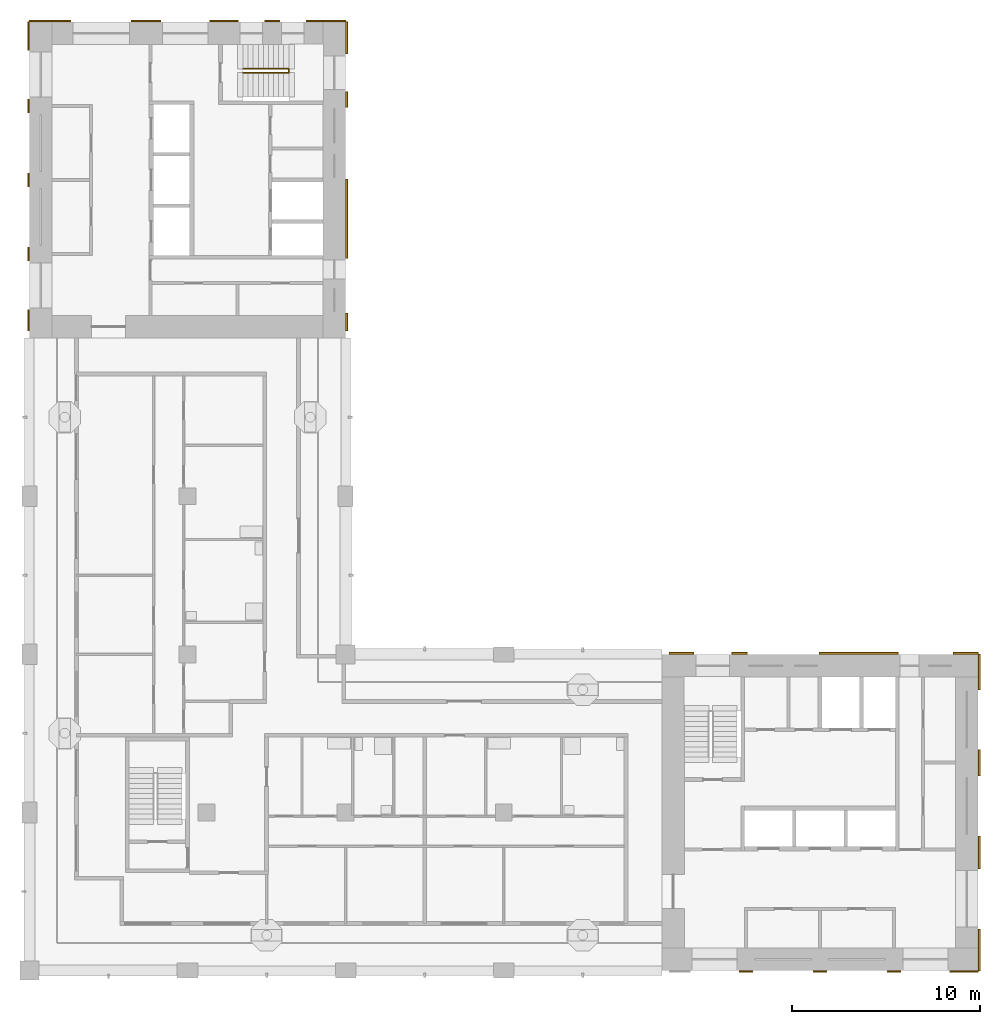
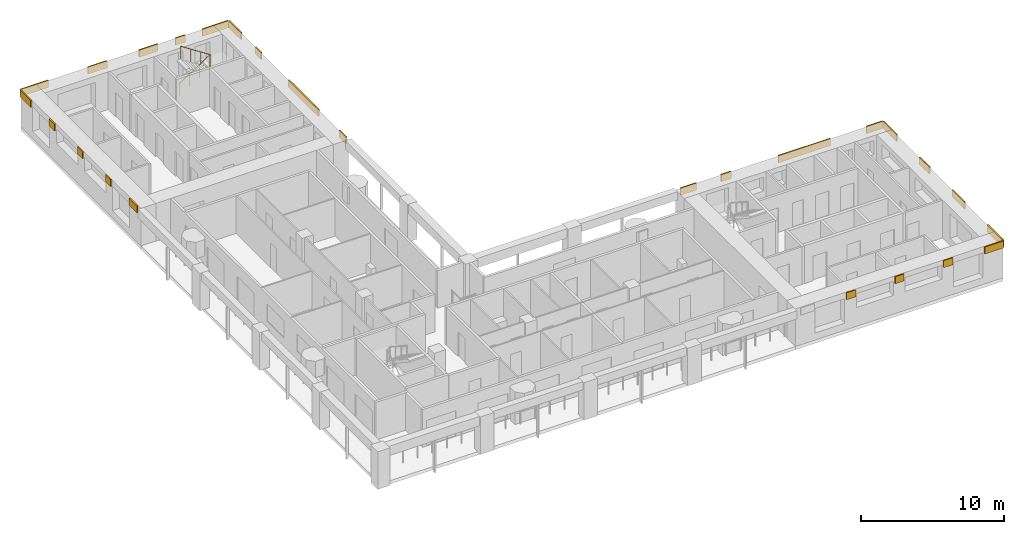
# One storey, part 8 of 11: 26 shading devices, 1 railing.
"""IFC4 building model written with IfcOpenShell, lengths in metres."""

from ifc_helpers import new_model, si_unit, direction, frame, origin, origin_2d, place, context, subcontext, project, spatial, rectangle, circle, extrude, material, layer, layer_set, type_object, element, save


model = new_model("IFC4")

# Units and contexts
model_context = context("Model", 3, precision=1e-05, world=origin(), true_north=direction((0.0, 1.0)))
body_context = subcontext(model_context, "Body", "Model", "MODEL_VIEW")
ifc_project = project(units=[si_unit("LENGTHUNIT", "METRE"), si_unit("AREAUNIT", "SQUARE_METRE"), si_unit("VOLUMEUNIT", "CUBIC_METRE"), si_unit("PLANEANGLEUNIT", "RADIAN"), si_unit("MASSUNIT", "GRAM", prefix="KILO")], contexts=[model_context])

# Site, building, storey
site_placement = place(None, origin())
site = spatial("IfcSite", under=ifc_project, at=site_placement, CompositionType="ELEMENT")
building_placement = place(site_placement, origin())
building = spatial("IfcBuilding", under=site, at=building_placement, Name="Vermilion Gate Residences", CompositionType="ELEMENT")
storey_placement = place(building_placement, frame((0.0, 0.0, 256.199951171875)))
storey = spatial("IfcBuildingStorey", under=building, at=storey_placement, Name="L67", CompositionType="ELEMENT", Elevation=256.199951171875)

# Railing
ifc_material_1 = material(Name="Steel S355", Category="steel")
railing_type = type_object("IfcRailingType", Name="STAIR GUARD 1100 STEEL", PredefinedType="GUARDRAIL", material=ifc_material_1)
railing_placement = place(storey_placement, frame((19.75, 56.300048828125, 0.175048828125)))
element("IfcRailing", 1, at=railing_placement, inside=storey, type_object=railing_type, Name="Stair well guard STB1-67", PredefinedType="GUARDRAIL", context=body_context, shape_type="SweptSolid", body=[
    extrude(circle(Radius=0.02392578125, at=origin_2d()), frame((0.0, 0.0, 1.076171875), z_axis=(0.839153699163, 0.0, 0.543894354798), x_axis=(0.0, 1.0, 0.0)), (0.0, 0.0, 1.0), 2.895751953125),
    extrude(circle(Radius=0.02392578125, at=origin_2d()), frame((2.429931640625, 0.0, 2.65087890625), z_axis=(0.0, -0.752405939678, 0.658699705433), x_axis=(1.0, 0.0, 0.0)), (0.0, 0.0, 1.0), 0.265869140625),
    extrude(circle(Radius=0.02392578125, at=origin_2d()), frame((2.429931640625, -0.199951171875, 2.826171875), z_axis=(-0.839153699163, 0.0, 0.543894354798), x_axis=(0.0, -1.0, 0.0)), (0.0, 0.0, 1.0), 2.895751953125),
    extrude(circle(Radius=0.02099609375, at=origin_2d()), origin(), (0.0, 0.0, 1.0), 1.052001953125),
    extrude(circle(Radius=0.02099609375, at=origin_2d()), frame((0.81005859375, 0.0, 0.52490234375)), (0.0, 0.0, 1.0), 1.052001953125),
    extrude(circle(Radius=0.02099609375, at=origin_2d()), frame((1.619873046875, 0.0, 1.050048828125)), (0.0, 0.0, 1.0), 1.052001953125),
    extrude(circle(Radius=0.02099609375, at=origin_2d()), frame((2.429931640625, 0.0, 1.574951171875)), (0.0, 0.0, 1.0), 1.052001953125),
    extrude(circle(Radius=0.02099609375, at=origin_2d()), frame((2.429931640625, -0.199951171875, 1.75)), (0.0, 0.0, 1.0), 1.052001953125),
    extrude(circle(Radius=0.02099609375, at=origin_2d()), frame((1.619873046875, -0.199951171875, 2.27490234375)), (0.0, 0.0, 1.0), 1.052001953125),
    extrude(circle(Radius=0.02099609375, at=origin_2d()), frame((0.81005859375, -0.199951171875, 2.800048828125)), (0.0, 0.0, 1.0), 1.052001953125),
    extrude(circle(Radius=0.02099609375, at=origin_2d()), frame((0.0, -0.199951171875, 3.324951171875)), (0.0, 0.0, 1.0), 1.052001953125),
])

# Shading devices
ifc_material_2 = material(Name="Extruded terracotta", Category="masonry")
ifc_layer = layer(ifc_material_2, 0.10009765625)
ifc_layer_set = layer_set([ifc_layer], Name="TERRACOTTA SPANDREL BAND 600 X 100")
shading_device_type = type_object("IfcShadingDeviceType", Name="TERRACOTTA SPANDREL BAND 600 X 100", PredefinedType="USERDEFINED", material=ifc_layer_set)
shading_device_1_placement = place(storey_placement, frame((46.46875, 8.35009765625, 2.6201171875), z_axis=(0.0, 0.0, 1.0), x_axis=(1.0, 0.0, 0.0)))
element("IfcShadingDevice", 2, at=shading_device_1_placement, inside=storey, type_object=shading_device_type, Name="SPANDREL BAND", ObjectType="BAND", PredefinedType="USERDEFINED", context=body_context, shape_type="SweptSolid", body=[
    extrude(rectangle(XDim=0.737548828125, YDim=0.10009765625, at=origin_2d()), origin(), (0.0, 0.0, 1.0), 0.60009765625),
])
shading_device_2_placement = place(storey_placement, frame((50.39990234375, 8.35009765625, 2.6201171875), z_axis=(0.0, 0.0, 1.0), x_axis=(1.0, 0.0, 0.0)))
element("IfcShadingDevice", 3, at=shading_device_2_placement, inside=storey, type_object=shading_device_type, Name="SPANDREL BAND", ObjectType="BAND", PredefinedType="USERDEFINED", context=body_context, shape_type="SweptSolid", body=[
    extrude(rectangle(XDim=0.72509765625, YDim=0.10009765625, at=origin_2d()), origin(), (0.0, 0.0, 1.0), 0.60009765625),
])
shading_device_3_placement = place(storey_placement, frame((54.331298828125, 8.35009765625, 2.6201171875), z_axis=(0.0, 0.0, 1.0), x_axis=(1.0, 0.0, 0.0)))
element("IfcShadingDevice", 4, at=shading_device_3_placement, inside=storey, type_object=shading_device_type, Name="SPANDREL BAND", ObjectType="BAND", PredefinedType="USERDEFINED", context=body_context, shape_type="SweptSolid", body=[
    extrude(rectangle(XDim=0.737548828125, YDim=0.10009765625, at=origin_2d()), origin(), (0.0, 0.0, 1.0), 0.60009765625),
])
shading_device_4_placement = place(storey_placement, frame((58.050048828125, 8.35009765625, 2.6201171875), z_axis=(0.0, 0.0, 1.0), x_axis=(1.0, 0.0, 0.0)))
element("IfcShadingDevice", 5, at=shading_device_4_placement, inside=storey, type_object=shading_device_type, Name="SPANDREL BAND", ObjectType="BAND", PredefinedType="USERDEFINED", context=body_context, shape_type="SweptSolid", body=[
    extrude(rectangle(XDim=1.5, YDim=0.10009765625, at=origin_2d()), origin(), (0.0, 0.0, 1.0), 0.60009765625),
])
shading_device_5_placement = place(storey_placement, frame((43.050048828125, 25.25, 2.6201171875), z_axis=(0.0, 0.0, 1.0), x_axis=(1.0, 0.0, 0.0)))
element("IfcShadingDevice", 6, at=shading_device_5_placement, inside=storey, type_object=shading_device_type, Name="SPANDREL BAND", ObjectType="BAND", PredefinedType="USERDEFINED", context=body_context, shape_type="SweptSolid", body=[
    extrude(rectangle(XDim=1.300048828125, YDim=0.10009765625, at=origin_2d()), origin(), (0.0, 0.0, 1.0), 0.60009765625),
])
shading_device_6_placement = place(storey_placement, frame((46.112548828125, 25.25, 2.6201171875), z_axis=(0.0, 0.0, 1.0), x_axis=(1.0, 0.0, 0.0)))
element("IfcShadingDevice", 7, at=shading_device_6_placement, inside=storey, type_object=shading_device_type, Name="SPANDREL BAND", ObjectType="BAND", PredefinedType="USERDEFINED", context=body_context, shape_type="SweptSolid", body=[
    extrude(rectangle(XDim=0.824951171875, YDim=0.10009765625, at=origin_2d()), origin(), (0.0, 0.0, 1.0), 0.60009765625),
])
shading_device_7_placement = place(storey_placement, frame((52.449951171875, 25.25, 2.6201171875), z_axis=(0.0, 0.0, 1.0), x_axis=(1.0, 0.0, 0.0)))
element("IfcShadingDevice", 8, at=shading_device_7_placement, inside=storey, type_object=shading_device_type, Name="SPANDREL BAND", ObjectType="BAND", PredefinedType="USERDEFINED", context=body_context, shape_type="SweptSolid", body=[
    extrude(rectangle(XDim=4.199951171875, YDim=0.10009765625, at=origin_2d()), origin(), (0.0, 0.0, 1.0), 0.60009765625),
])
shading_device_8_placement = place(storey_placement, frame((58.137451171875, 25.25, 2.6201171875), z_axis=(0.0, 0.0, 1.0), x_axis=(1.0, 0.0, 0.0)))
element("IfcShadingDevice", 9, at=shading_device_8_placement, inside=storey, type_object=shading_device_type, Name="SPANDREL BAND", ObjectType="BAND", PredefinedType="USERDEFINED", context=body_context, shape_type="SweptSolid", body=[
    extrude(rectangle(XDim=1.324951171875, YDim=0.10009765625, at=origin_2d()), origin(), (0.0, 0.0, 1.0), 0.60009765625),
])
shading_device_9_placement = place(storey_placement, frame((58.85009765625, 9.50244140625, 2.6201171875), z_axis=(0.0, 0.0, 1.0), x_axis=(0.0, 1.0, 0.0)))
element("IfcShadingDevice", 10, at=shading_device_9_placement, inside=storey, type_object=shading_device_type, Name="SPANDREL BAND", ObjectType="BAND", PredefinedType="USERDEFINED", context=body_context, shape_type="SweptSolid", body=[
    extrude(rectangle(XDim=2.205078125, YDim=0.10009765625, at=origin_2d()), origin(), (0.0, 0.0, 1.0), 0.60009765625),
])
shading_device_10_placement = place(storey_placement, frame((58.85009765625, 14.67138671875, 2.6201171875), z_axis=(0.0, 0.0, 1.0), x_axis=(0.0, 1.0, 0.0)))
element("IfcShadingDevice", 11, at=shading_device_10_placement, inside=storey, type_object=shading_device_type, Name="SPANDREL BAND", ObjectType="BAND", PredefinedType="USERDEFINED", context=body_context, shape_type="SweptSolid", body=[
    extrude(rectangle(XDim=1.732421875, YDim=0.10009765625, at=origin_2d()), origin(), (0.0, 0.0, 1.0), 0.60009765625),
])
shading_device_11_placement = place(storey_placement, frame((58.85009765625, 19.43505859375, 2.6201171875), z_axis=(0.0, 0.0, 1.0), x_axis=(0.0, 1.0, 0.0)))
element("IfcShadingDevice", 12, at=shading_device_11_placement, inside=storey, type_object=shading_device_type, Name="SPANDREL BAND", ObjectType="BAND", PredefinedType="USERDEFINED", context=body_context, shape_type="SweptSolid", body=[
    extrude(rectangle(XDim=1.39501953125, YDim=0.10009765625, at=origin_2d()), origin(), (0.0, 0.0, 1.0), 0.60009765625),
])
shading_device_12_placement = place(storey_placement, frame((58.85009765625, 24.26611328125, 2.6201171875), z_axis=(0.0, 0.0, 1.0), x_axis=(0.0, 1.0, 0.0)))
element("IfcShadingDevice", 13, at=shading_device_12_placement, inside=storey, type_object=shading_device_type, Name="SPANDREL BAND", ObjectType="BAND", PredefinedType="USERDEFINED", context=body_context, shape_type="SweptSolid", body=[
    extrude(rectangle(XDim=1.867431640625, YDim=0.10009765625, at=origin_2d()), origin(), (0.0, 0.0, 1.0), 0.60009765625),
])
shading_device_13_placement = place(storey_placement, frame((9.50244140625, 58.85009765625, 2.6201171875), z_axis=(0.0, 0.0, 1.0), x_axis=(1.0, 0.0, 0.0)))
element("IfcShadingDevice", 14, at=shading_device_13_placement, inside=storey, type_object=shading_device_type, Name="SPANDREL BAND", ObjectType="BAND", PredefinedType="USERDEFINED", context=body_context, shape_type="SweptSolid", body=[
    extrude(rectangle(XDim=2.205078125, YDim=0.10009765625, at=origin_2d()), origin(), (0.0, 0.0, 1.0), 0.60009765625),
])
shading_device_14_placement = place(storey_placement, frame((14.590087890625, 58.85009765625, 2.6201171875), z_axis=(0.0, 0.0, 1.0), x_axis=(1.0, 0.0, 0.0)))
element("IfcShadingDevice", 15, at=shading_device_14_placement, inside=storey, type_object=shading_device_type, Name="SPANDREL BAND", ObjectType="BAND", PredefinedType="USERDEFINED", context=body_context, shape_type="SweptSolid", body=[
    extrude(rectangle(XDim=1.570068359375, YDim=0.10009765625, at=origin_2d()), origin(), (0.0, 0.0, 1.0), 0.60009765625),
])
shading_device_15_placement = place(storey_placement, frame((18.734130859375, 58.85009765625, 2.6201171875), z_axis=(0.0, 0.0, 1.0), x_axis=(1.0, 0.0, 0.0)))
element("IfcShadingDevice", 16, at=shading_device_15_placement, inside=storey, type_object=shading_device_type, Name="SPANDREL BAND", ObjectType="BAND", PredefinedType="USERDEFINED", context=body_context, shape_type="SweptSolid", body=[
    extrude(rectangle(XDim=1.518310546875, YDim=0.10009765625, at=origin_2d()), origin(), (0.0, 0.0, 1.0), 0.60009765625),
])
shading_device_16_placement = place(storey_placement, frame((21.294921875, 58.85009765625, 2.6201171875), z_axis=(0.0, 0.0, 1.0), x_axis=(1.0, 0.0, 0.0)))
element("IfcShadingDevice", 17, at=shading_device_16_placement, inside=storey, type_object=shading_device_type, Name="SPANDREL BAND", ObjectType="BAND", PredefinedType="USERDEFINED", context=body_context, shape_type="SweptSolid", body=[
    extrude(rectangle(XDim=0.803466796875, YDim=0.10009765625, at=origin_2d()), origin(), (0.0, 0.0, 1.0), 0.60009765625),
])
shading_device_17_placement = place(storey_placement, frame((24.1484375, 58.85009765625, 2.6201171875), z_axis=(0.0, 0.0, 1.0), x_axis=(1.0, 0.0, 0.0)))
element("IfcShadingDevice", 18, at=shading_device_17_placement, inside=storey, type_object=shading_device_type, Name="SPANDREL BAND", ObjectType="BAND", PredefinedType="USERDEFINED", context=body_context, shape_type="SweptSolid", body=[
    extrude(rectangle(XDim=2.103271484375, YDim=0.10009765625, at=origin_2d()), origin(), (0.0, 0.0, 1.0), 0.60009765625),
])
shading_device_18_placement = place(storey_placement, frame((8.35009765625, 42.949951171875, 2.6201171875), z_axis=(0.0, 0.0, 1.0), x_axis=(0.0, 1.0, 0.0)))
element("IfcShadingDevice", 19, at=shading_device_18_placement, inside=storey, type_object=shading_device_type, Name="SPANDREL BAND", ObjectType="BAND", PredefinedType="USERDEFINED", context=body_context, shape_type="SweptSolid", body=[
    extrude(rectangle(XDim=1.10009765625, YDim=0.10009765625, at=origin_2d()), origin(), (0.0, 0.0, 1.0), 0.60009765625),
])
shading_device_19_placement = place(storey_placement, frame((8.35009765625, 46.46875, 2.6201171875), z_axis=(0.0, 0.0, 1.0), x_axis=(0.0, 1.0, 0.0)))
element("IfcShadingDevice", 20, at=shading_device_19_placement, inside=storey, type_object=shading_device_type, Name="SPANDREL BAND", ObjectType="BAND", PredefinedType="USERDEFINED", context=body_context, shape_type="SweptSolid", body=[
    extrude(rectangle(XDim=0.737548828125, YDim=0.10009765625, at=origin_2d()), origin(), (0.0, 0.0, 1.0), 0.60009765625),
])
shading_device_20_placement = place(storey_placement, frame((8.35009765625, 50.39990234375, 2.6201171875), z_axis=(0.0, 0.0, 1.0), x_axis=(0.0, 1.0, 0.0)))
element("IfcShadingDevice", 21, at=shading_device_20_placement, inside=storey, type_object=shading_device_type, Name="SPANDREL BAND", ObjectType="BAND", PredefinedType="USERDEFINED", context=body_context, shape_type="SweptSolid", body=[
    extrude(rectangle(XDim=0.72509765625, YDim=0.10009765625, at=origin_2d()), origin(), (0.0, 0.0, 1.0), 0.60009765625),
])
shading_device_21_placement = place(storey_placement, frame((8.35009765625, 54.331298828125, 2.6201171875), z_axis=(0.0, 0.0, 1.0), x_axis=(0.0, 1.0, 0.0)))
element("IfcShadingDevice", 22, at=shading_device_21_placement, inside=storey, type_object=shading_device_type, Name="SPANDREL BAND", ObjectType="BAND", PredefinedType="USERDEFINED", context=body_context, shape_type="SweptSolid", body=[
    extrude(rectangle(XDim=0.737548828125, YDim=0.10009765625, at=origin_2d()), origin(), (0.0, 0.0, 1.0), 0.60009765625),
])
shading_device_22_placement = place(storey_placement, frame((8.35009765625, 58.050048828125, 2.6201171875), z_axis=(0.0, 0.0, 1.0), x_axis=(0.0, 1.0, 0.0)))
element("IfcShadingDevice", 23, at=shading_device_22_placement, inside=storey, type_object=shading_device_type, Name="SPANDREL BAND", ObjectType="BAND", PredefinedType="USERDEFINED", context=body_context, shape_type="SweptSolid", body=[
    extrude(rectangle(XDim=1.5, YDim=0.10009765625, at=origin_2d()), origin(), (0.0, 0.0, 1.0), 0.60009765625),
])
shading_device_23_placement = place(storey_placement, frame((25.25, 42.862548828125, 2.6201171875), z_axis=(0.0, 0.0, 1.0), x_axis=(0.0, 1.0, 0.0)))
element("IfcShadingDevice", 24, at=shading_device_23_placement, inside=storey, type_object=shading_device_type, Name="SPANDREL BAND", ObjectType="BAND", PredefinedType="USERDEFINED", context=body_context, shape_type="SweptSolid", body=[
    extrude(rectangle(XDim=0.925048828125, YDim=0.10009765625, at=origin_2d()), origin(), (0.0, 0.0, 1.0), 0.60009765625),
])
shading_device_24_placement = place(storey_placement, frame((25.25, 48.35009765625, 2.6201171875), z_axis=(0.0, 0.0, 1.0), x_axis=(0.0, 1.0, 0.0)))
element("IfcShadingDevice", 25, at=shading_device_24_placement, inside=storey, type_object=shading_device_type, Name="SPANDREL BAND", ObjectType="BAND", PredefinedType="USERDEFINED", context=body_context, shape_type="SweptSolid", body=[
    extrude(rectangle(XDim=4.199951171875, YDim=0.10009765625, at=origin_2d()), origin(), (0.0, 0.0, 1.0), 0.60009765625),
])
shading_device_25_placement = place(storey_placement, frame((25.25, 54.6875, 2.6201171875), z_axis=(0.0, 0.0, 1.0), x_axis=(0.0, 1.0, 0.0)))
element("IfcShadingDevice", 26, at=shading_device_25_placement, inside=storey, type_object=shading_device_type, Name="SPANDREL BAND", ObjectType="BAND", PredefinedType="USERDEFINED", context=body_context, shape_type="SweptSolid", body=[
    extrude(rectangle(XDim=0.824951171875, YDim=0.10009765625, at=origin_2d()), origin(), (0.0, 0.0, 1.0), 0.60009765625),
])
shading_device_26_placement = place(storey_placement, frame((25.25, 57.949951171875, 2.6201171875), z_axis=(0.0, 0.0, 1.0), x_axis=(0.0, 1.0, 0.0)))
element("IfcShadingDevice", 27, at=shading_device_26_placement, inside=storey, type_object=shading_device_type, Name="SPANDREL BAND", ObjectType="BAND", PredefinedType="USERDEFINED", context=body_context, shape_type="SweptSolid", body=[
    extrude(rectangle(XDim=1.699951171875, YDim=0.10009765625, at=origin_2d()), origin(), (0.0, 0.0, 1.0), 0.60009765625),
])

save(model, "model.ifc")
